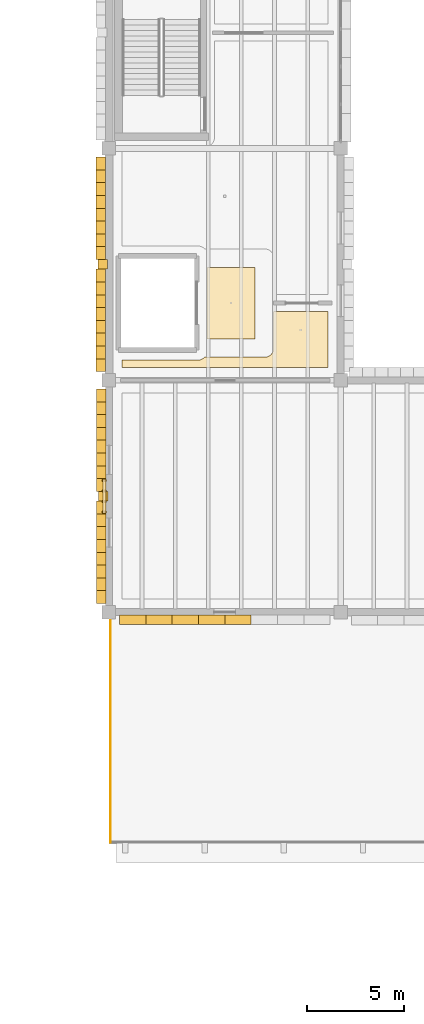
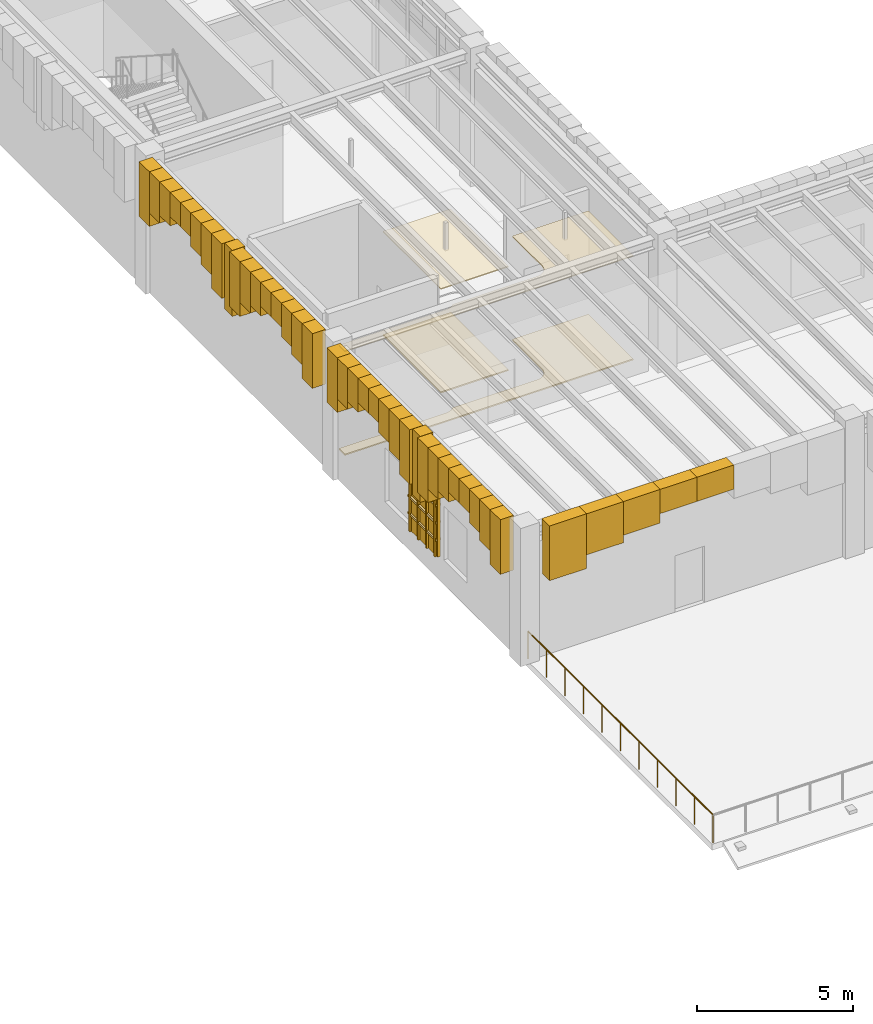
# One storey, part 75 of 100: 50 coverings, 1 railing, 1 shading device.
"""IFC4 building model written with IfcOpenShell, lengths in metres."""

from ifc_helpers import new_model, si_unit, direction, frame, origin, origin_2d, place, context, subcontext, project, spatial, polyline, rectangle, circle, outline, extrude, material, layer, layer_set, type_object, element, save


model = new_model("IFC4")

# Units and contexts
model_context = context("Model", 3, precision=1e-05, world=origin(), true_north=direction((0.0, 1.0)))
body_context = subcontext(model_context, "Body", "Model", "MODEL_VIEW")
ifc_project = project(units=[si_unit("LENGTHUNIT", "METRE"), si_unit("AREAUNIT", "SQUARE_METRE"), si_unit("VOLUMEUNIT", "CUBIC_METRE"), si_unit("PLANEANGLEUNIT", "RADIAN"), si_unit("MASSUNIT", "GRAM", prefix="KILO")], contexts=[model_context])

# Site, building, storey
site_placement = place(None, origin())
site = spatial("IfcSite", under=ifc_project, at=site_placement, CompositionType="ELEMENT")
building_placement = place(site_placement, origin())
building = spatial("IfcBuilding", under=site, at=building_placement, Name="Zlatogorsky Bluff Art Gallery", CompositionType="ELEMENT")
storey_placement = place(building_placement, frame((0.0, 0.0, 5.39990234375)))
storey = spatial("IfcBuildingStorey", under=building, at=storey_placement, Name="L01", CompositionType="ELEMENT", Elevation=5.39990234375)

# Coverings
ifc_material_1 = material(Name="Perforated Gypsum Acoustic Board", Category="gypsum")
ifc_layer_1 = layer(ifc_material_1, 0.0400390625)
ifc_layer_set_1 = layer_set([ifc_layer_1], Name="Acoustic Gallery Ceiling CLG-01")
covering_type_1 = type_object("IfcCoveringType", Name="Acoustic Gallery Ceiling CLG-01", PredefinedType="CEILING", material=ifc_layer_set_1)
covering_1_placement = place(storey_placement, frame((0.0, 0.0, 4.050048828125)))
element("IfcCovering", 1, at=covering_1_placement, inside=storey, type_object=covering_type_1, Name="Lift Lobby GL-1 acoustic ceiling", PredefinedType="CEILING", context=body_context, shape_type="SweptSolid", body=[
    extrude(outline(polyline([(125.070068359375, 52.550048828125), (125.070068359375, 56.25), (127.570068359375, 56.25), (127.570068359375, 52.550048828125), (125.070068359375, 52.550048828125)])), origin(), (0.0, 0.0, 1.0), 0.0400390625),
])
covering_2_placement = place(storey_placement, frame((0.0, 0.0, 4.050048828125)))
element("IfcCovering", 2, at=covering_2_placement, inside=storey, type_object=covering_type_1, Name="L01 Conservation Link Corridor acoustic ceiling", PredefinedType="CEILING", context=body_context, shape_type="SweptSolid", body=[
    extrude(outline(polyline([(124.6201171875, 51.449951171875), (124.6640625, 51.4521484375), (124.707763671875, 51.45849609375), (124.75048828125, 51.469482421875), (124.792236328125, 51.484375), (124.83203125, 51.503173828125), (124.8701171875, 51.52587890625), (124.905517578125, 51.552001953125), (124.938232421875, 51.581787109375), (124.95458984375, 51.60009765625), (128.070068359375, 51.60009765625), (128.114013671875, 51.602294921875), (128.15771484375, 51.608642578125), (128.20068359375, 51.619384765625), (128.2421875, 51.63427734375), (128.281982421875, 51.653076171875), (128.320068359375, 51.67578125), (128.35546875, 51.7021484375), (128.38818359375, 51.731689453125), (128.41796875, 51.764404296875), (128.444091796875, 51.800048828125), (128.466796875, 51.837890625), (128.485595703125, 51.877685546875), (128.50048828125, 51.91943359375), (128.511474609375, 51.962158203125), (128.517822265625, 52.005859375), (128.52001953125, 52.050048828125), (128.52001953125, 53.949951171875), (131.330078125, 53.949951171875), (131.330078125, 51.070068359375), (120.669921875, 51.070068359375), (120.669921875, 51.449951171875), (124.6201171875, 51.449951171875)])), origin(), (0.0, 0.0, 1.0), 0.0400390625),
])
ifc_material_2 = material(Name="Honed Red Agra-Tone Quartzitic Sandstone", Category="masonry")
ifc_layer_2 = layer(ifc_material_2, 0.1201171875)
ifc_layer_set_2 = layer_set([ifc_layer_2], Name="Carved Sandstone Cladding CLD-02")
covering_type_2 = type_object("IfcCoveringType", Name="Carved Sandstone Cladding CLD-02", PredefinedType="CLADDING", material=ifc_layer_set_2)
covering_3_placement = place(storey_placement, frame((0.0, 0.0, 3.222412109375)))
element("IfcCovering", 3, at=covering_3_placement, inside=storey, type_object=covering_type_2, Name="Pointed Mughal arch voussoir spandrel WARCH-L01-S-10-04-A.1", PredefinedType="CLADDING", context=body_context, shape_type="SweptSolid", body=[
    extrude(outline(polyline([(120.550048828125, 37.760009765625), (121.91259765625, 37.760009765625), (121.91259765625, 38.25), (120.550048828125, 38.25), (120.550048828125, 37.760009765625)])), origin(), (0.0, 0.0, 1.0), 2.1376953125),
])
covering_4_placement = place(storey_placement, frame((0.0, 0.0, 3.75390625)))
element("IfcCovering", 4, at=covering_4_placement, inside=storey, type_object=covering_type_2, Name="Pointed Mughal arch voussoir spandrel WARCH-L01-S-10-04-A.2", PredefinedType="CLADDING", context=body_context, shape_type="SweptSolid", body=[
    extrude(outline(polyline([(121.91259765625, 37.760009765625), (123.27490234375, 37.760009765625), (123.27490234375, 38.25), (121.91259765625, 38.25), (121.91259765625, 37.760009765625)])), origin(), (0.0, 0.0, 1.0), 1.606201171875),
])
covering_5_placement = place(storey_placement, frame((0.0, 0.0, 4.046875)))
element("IfcCovering", 5, at=covering_5_placement, inside=storey, type_object=covering_type_2, Name="Pointed Mughal arch voussoir spandrel WARCH-L01-S-10-04-A.3", PredefinedType="CLADDING", context=body_context, shape_type="SweptSolid", body=[
    extrude(outline(polyline([(123.27490234375, 37.760009765625), (124.637451171875, 37.760009765625), (124.637451171875, 38.25), (123.27490234375, 38.25), (123.27490234375, 37.760009765625)])), origin(), (0.0, 0.0, 1.0), 1.313232421875),
])
covering_6_placement = place(storey_placement, frame((0.0, 0.0, 4.41552734375)))
element("IfcCovering", 6, at=covering_6_placement, inside=storey, type_object=covering_type_2, Name="Pointed Mughal arch voussoir spandrel WARCH-L01-S-10-04-A.4", PredefinedType="CLADDING", context=body_context, shape_type="SweptSolid", body=[
    extrude(outline(polyline([(124.637451171875, 37.760009765625), (126.0, 37.760009765625), (126.0, 38.25), (124.637451171875, 38.25), (124.637451171875, 37.760009765625)])), origin(), (0.0, 0.0, 1.0), 0.944580078125),
])
covering_7_placement = place(storey_placement, frame((0.0, 0.0, 4.41552734375)))
element("IfcCovering", 7, at=covering_7_placement, inside=storey, type_object=covering_type_2, Name="Pointed Mughal arch voussoir spandrel WARCH-L01-S-10-04-A.5", PredefinedType="CLADDING", context=body_context, shape_type="SweptSolid", body=[
    extrude(outline(polyline([(126.0, 37.760009765625), (127.362548828125, 37.760009765625), (127.362548828125, 38.25), (126.0, 38.25), (126.0, 37.760009765625)])), origin(), (0.0, 0.0, 1.0), 0.944580078125),
])
covering_8_placement = place(storey_placement, frame((0.0, 0.0, 2.780029296875)))
element("IfcCovering", 8, at=covering_8_placement, inside=storey, type_object=covering_type_2, Name="Mughal blind-arch sandstone pilaster L01.W.10.4", PredefinedType="CLADDING", context=body_context, shape_type="SweptSolid", body=[
    extrude(outline(polyline([(119.4599609375, 44.159912109375), (119.93994140625, 44.159912109375), (119.93994140625, 44.639892578125), (119.4599609375, 44.639892578125), (119.4599609375, 44.159912109375)])), origin(), (0.0, 0.0, 1.0), 2.580078125),
])
covering_9_placement = place(storey_placement, frame((0.0, 0.0, 3.222412109375)))
element("IfcCovering", 9, at=covering_9_placement, inside=storey, type_object=covering_type_2, Name="Pointed Mughal arch voussoir spandrel WARCH-L01-W-10-04-A.1", PredefinedType="CLADDING", context=body_context, shape_type="SweptSolid", body=[
    extrude(outline(polyline([(119.360107421875, 38.85009765625), (119.360107421875, 39.512451171875), (119.85009765625, 39.512451171875), (119.85009765625, 38.85009765625), (119.360107421875, 38.85009765625)])), origin(), (0.0, 0.0, 1.0), 2.1376953125),
])
covering_10_placement = place(storey_placement, frame((0.0, 0.0, 3.75390625)))
element("IfcCovering", 10, at=covering_10_placement, inside=storey, type_object=covering_type_2, Name="Pointed Mughal arch voussoir spandrel WARCH-L01-W-10-04-A.2", PredefinedType="CLADDING", context=body_context, shape_type="SweptSolid", body=[
    extrude(outline(polyline([(119.360107421875, 39.512451171875), (119.360107421875, 40.175048828125), (119.85009765625, 40.175048828125), (119.85009765625, 39.512451171875), (119.360107421875, 39.512451171875)])), origin(), (0.0, 0.0, 1.0), 1.606201171875),
])
covering_11_placement = place(storey_placement, frame((0.0, 0.0, 4.046875)))
element("IfcCovering", 11, at=covering_11_placement, inside=storey, type_object=covering_type_2, Name="Pointed Mughal arch voussoir spandrel WARCH-L01-W-10-04-A.3", PredefinedType="CLADDING", context=body_context, shape_type="SweptSolid", body=[
    extrude(outline(polyline([(119.360107421875, 40.175048828125), (119.360107421875, 40.83740234375), (119.85009765625, 40.83740234375), (119.85009765625, 40.175048828125), (119.360107421875, 40.175048828125)])), origin(), (0.0, 0.0, 1.0), 1.313232421875),
])
covering_12_placement = place(storey_placement, frame((0.0, 0.0, 4.41552734375)))
element("IfcCovering", 12, at=covering_12_placement, inside=storey, type_object=covering_type_2, Name="Pointed Mughal arch voussoir spandrel WARCH-L01-W-10-04-A.4", PredefinedType="CLADDING", context=body_context, shape_type="SweptSolid", body=[
    extrude(outline(polyline([(119.360107421875, 40.83740234375), (119.360107421875, 41.5), (119.85009765625, 41.5), (119.85009765625, 40.83740234375), (119.360107421875, 40.83740234375)])), origin(), (0.0, 0.0, 1.0), 0.944580078125),
])
covering_13_placement = place(storey_placement, frame((0.0, 0.0, 4.41552734375)))
element("IfcCovering", 13, at=covering_13_placement, inside=storey, type_object=covering_type_2, Name="Pointed Mughal arch voussoir spandrel WARCH-L01-W-10-04-A.5", PredefinedType="CLADDING", context=body_context, shape_type="SweptSolid", body=[
    extrude(outline(polyline([(119.360107421875, 41.5), (119.360107421875, 42.16259765625), (119.85009765625, 42.16259765625), (119.85009765625, 41.5), (119.360107421875, 41.5)])), origin(), (0.0, 0.0, 1.0), 0.944580078125),
])
covering_14_placement = place(storey_placement, frame((0.0, 0.0, 4.046875)))
element("IfcCovering", 14, at=covering_14_placement, inside=storey, type_object=covering_type_2, Name="Pointed Mughal arch voussoir spandrel WARCH-L01-W-10-04-A.6", PredefinedType="CLADDING", context=body_context, shape_type="SweptSolid", body=[
    extrude(outline(polyline([(119.360107421875, 42.16259765625), (119.360107421875, 42.824951171875), (119.85009765625, 42.824951171875), (119.85009765625, 42.16259765625), (119.360107421875, 42.16259765625)])), origin(), (0.0, 0.0, 1.0), 1.313232421875),
])
covering_15_placement = place(storey_placement, frame((0.0, 0.0, 3.75390625)))
element("IfcCovering", 15, at=covering_15_placement, inside=storey, type_object=covering_type_2, Name="Pointed Mughal arch voussoir spandrel WARCH-L01-W-10-04-A.7", PredefinedType="CLADDING", context=body_context, shape_type="SweptSolid", body=[
    extrude(outline(polyline([(119.360107421875, 42.824951171875), (119.360107421875, 43.487548828125), (119.85009765625, 43.487548828125), (119.85009765625, 42.824951171875), (119.360107421875, 42.824951171875)])), origin(), (0.0, 0.0, 1.0), 1.606201171875),
])
covering_16_placement = place(storey_placement, frame((0.0, 0.0, 3.222412109375)))
element("IfcCovering", 16, at=covering_16_placement, inside=storey, type_object=covering_type_2, Name="Pointed Mughal arch voussoir spandrel WARCH-L01-W-10-04-A.8", PredefinedType="CLADDING", context=body_context, shape_type="SweptSolid", body=[
    extrude(outline(polyline([(119.360107421875, 43.487548828125), (119.360107421875, 44.14990234375), (119.85009765625, 44.14990234375), (119.85009765625, 43.487548828125), (119.360107421875, 43.487548828125)])), origin(), (0.0, 0.0, 1.0), 2.1376953125),
])
covering_17_placement = place(storey_placement, frame((0.0, 0.0, 3.222412109375)))
element("IfcCovering", 17, at=covering_17_placement, inside=storey, type_object=covering_type_2, Name="Pointed Mughal arch voussoir spandrel WARCH-L01-W-10-04-B.1", PredefinedType="CLADDING", context=body_context, shape_type="SweptSolid", body=[
    extrude(outline(polyline([(119.360107421875, 44.64990234375), (119.360107421875, 45.3125), (119.85009765625, 45.3125), (119.85009765625, 44.64990234375), (119.360107421875, 44.64990234375)])), origin(), (0.0, 0.0, 1.0), 2.1376953125),
])
covering_18_placement = place(storey_placement, frame((0.0, 0.0, 3.75390625)))
element("IfcCovering", 18, at=covering_18_placement, inside=storey, type_object=covering_type_2, Name="Pointed Mughal arch voussoir spandrel WARCH-L01-W-10-04-B.2", PredefinedType="CLADDING", context=body_context, shape_type="SweptSolid", body=[
    extrude(outline(polyline([(119.360107421875, 45.3125), (119.360107421875, 45.97509765625), (119.85009765625, 45.97509765625), (119.85009765625, 45.3125), (119.360107421875, 45.3125)])), origin(), (0.0, 0.0, 1.0), 1.606201171875),
])
covering_19_placement = place(storey_placement, frame((0.0, 0.0, 4.046875)))
element("IfcCovering", 19, at=covering_19_placement, inside=storey, type_object=covering_type_2, Name="Pointed Mughal arch voussoir spandrel WARCH-L01-W-10-04-B.3", PredefinedType="CLADDING", context=body_context, shape_type="SweptSolid", body=[
    extrude(outline(polyline([(119.360107421875, 45.97509765625), (119.360107421875, 46.637451171875), (119.85009765625, 46.637451171875), (119.85009765625, 45.97509765625), (119.360107421875, 45.97509765625)])), origin(), (0.0, 0.0, 1.0), 1.313232421875),
])
covering_20_placement = place(storey_placement, frame((0.0, 0.0, 4.41552734375)))
element("IfcCovering", 20, at=covering_20_placement, inside=storey, type_object=covering_type_2, Name="Pointed Mughal arch voussoir spandrel WARCH-L01-W-10-04-B.4", PredefinedType="CLADDING", context=body_context, shape_type="SweptSolid", body=[
    extrude(outline(polyline([(119.360107421875, 46.637451171875), (119.360107421875, 47.300048828125), (119.85009765625, 47.300048828125), (119.85009765625, 46.637451171875), (119.360107421875, 46.637451171875)])), origin(), (0.0, 0.0, 1.0), 0.944580078125),
])
covering_21_placement = place(storey_placement, frame((0.0, 0.0, 4.41552734375)))
element("IfcCovering", 21, at=covering_21_placement, inside=storey, type_object=covering_type_2, Name="Pointed Mughal arch voussoir spandrel WARCH-L01-W-10-04-B.5", PredefinedType="CLADDING", context=body_context, shape_type="SweptSolid", body=[
    extrude(outline(polyline([(119.360107421875, 47.300048828125), (119.360107421875, 47.96240234375), (119.85009765625, 47.96240234375), (119.85009765625, 47.300048828125), (119.360107421875, 47.300048828125)])), origin(), (0.0, 0.0, 1.0), 0.944580078125),
])
covering_22_placement = place(storey_placement, frame((0.0, 0.0, 4.046875)))
element("IfcCovering", 22, at=covering_22_placement, inside=storey, type_object=covering_type_2, Name="Pointed Mughal arch voussoir spandrel WARCH-L01-W-10-04-B.6", PredefinedType="CLADDING", context=body_context, shape_type="SweptSolid", body=[
    extrude(outline(polyline([(119.360107421875, 47.96240234375), (119.360107421875, 48.625), (119.85009765625, 48.625), (119.85009765625, 47.96240234375), (119.360107421875, 47.96240234375)])), origin(), (0.0, 0.0, 1.0), 1.313232421875),
])
covering_23_placement = place(storey_placement, frame((0.0, 0.0, 3.75390625)))
element("IfcCovering", 23, at=covering_23_placement, inside=storey, type_object=covering_type_2, Name="Pointed Mughal arch voussoir spandrel WARCH-L01-W-10-04-B.7", PredefinedType="CLADDING", context=body_context, shape_type="SweptSolid", body=[
    extrude(outline(polyline([(119.360107421875, 48.625), (119.360107421875, 49.28759765625), (119.85009765625, 49.28759765625), (119.85009765625, 48.625), (119.360107421875, 48.625)])), origin(), (0.0, 0.0, 1.0), 1.606201171875),
])
covering_24_placement = place(storey_placement, frame((0.0, 0.0, 3.222412109375)))
element("IfcCovering", 24, at=covering_24_placement, inside=storey, type_object=covering_type_2, Name="Pointed Mughal arch voussoir spandrel WARCH-L01-W-10-04-B.8", PredefinedType="CLADDING", context=body_context, shape_type="SweptSolid", body=[
    extrude(outline(polyline([(119.360107421875, 49.28759765625), (119.360107421875, 49.949951171875), (119.85009765625, 49.949951171875), (119.85009765625, 49.28759765625), (119.360107421875, 49.28759765625)])), origin(), (0.0, 0.0, 1.0), 2.1376953125),
])
covering_25_placement = place(storey_placement, frame((0.0, 0.0, 0.9501953125)))
element("IfcCovering", 25, at=covering_25_placement, inside=storey, type_object=covering_type_2, Name="Pierced sandstone jali lattice bar L01.W.10.4", PredefinedType="CLADDING", context=body_context, shape_type="SweptSolid", body=[
    extrude(outline(polyline([(119.659912109375, 43.544921875), (119.659912109375, 43.635009765625), (119.85009765625, 43.635009765625), (119.85009765625, 43.544921875), (119.659912109375, 43.544921875)])), origin(), (0.0, 0.0, 1.0), 2.699951171875),
])
covering_26_placement = place(storey_placement, frame((0.0, 0.0, 0.9501953125)))
element("IfcCovering", 26, at=covering_26_placement, inside=storey, type_object=covering_type_2, Name="Pierced sandstone jali lattice bar L01.W.10.4", PredefinedType="CLADDING", context=body_context, shape_type="SweptSolid", body=[
    extrude(outline(polyline([(119.659912109375, 44.0849609375), (119.659912109375, 44.175048828125), (119.85009765625, 44.175048828125), (119.85009765625, 44.0849609375), (119.659912109375, 44.0849609375)])), origin(), (0.0, 0.0, 1.0), 2.699951171875),
])
covering_27_placement = place(storey_placement, frame((0.0, 0.0, 0.9501953125)))
element("IfcCovering", 27, at=covering_27_placement, inside=storey, type_object=covering_type_2, Name="Pierced sandstone jali lattice bar L01.W.10.4", PredefinedType="CLADDING", context=body_context, shape_type="SweptSolid", body=[
    extrude(outline(polyline([(119.659912109375, 44.625), (119.659912109375, 44.715087890625), (119.85009765625, 44.715087890625), (119.85009765625, 44.625), (119.659912109375, 44.625)])), origin(), (0.0, 0.0, 1.0), 2.699951171875),
])
covering_28_placement = place(storey_placement, frame((0.0, 0.0, 0.9501953125)))
element("IfcCovering", 28, at=covering_28_placement, inside=storey, type_object=covering_type_2, Name="Pierced sandstone jali lattice bar L01.W.10.4", PredefinedType="CLADDING", context=body_context, shape_type="SweptSolid", body=[
    extrude(outline(polyline([(119.659912109375, 45.1650390625), (119.659912109375, 45.2548828125), (119.85009765625, 45.2548828125), (119.85009765625, 45.1650390625), (119.659912109375, 45.1650390625)])), origin(), (0.0, 0.0, 1.0), 2.699951171875),
])
covering_29_placement = place(storey_placement, frame((0.0, 0.0, 1.585205078125)))
element("IfcCovering", 29, at=covering_29_placement, inside=storey, type_object=covering_type_2, Name="Pierced sandstone jali lattice transom L01.W.10.4", PredefinedType="CLADDING", context=body_context, shape_type="SweptSolid", body=[
    extrude(outline(polyline([(119.659912109375, 43.5), (119.659912109375, 45.300048828125), (119.85009765625, 45.300048828125), (119.85009765625, 43.5), (119.659912109375, 43.5)])), origin(), (0.0, 0.0, 1.0), 0.079833984375),
])
for number, where, name in (
    (30, (0.0, 0.0, 2.260009765625), "Pierced sandstone jali lattice transom L01.W.10.4"),
    (31, (0.0, 0.0, 2.93505859375), "Pierced sandstone jali lattice transom L01.W.10.4"),
):
    element("IfcCovering", number, at=place(storey_placement, frame(where)), inside=storey, type_object=covering_type_2, Name=name, PredefinedType="CLADDING", context=body_context, shape_type="SweptSolid", body=[
        extrude(outline(polyline([(119.659912109375, 43.5), (119.659912109375, 45.300048828125), (119.85009765625, 45.300048828125), (119.85009765625, 43.5), (119.659912109375, 43.5)])), origin(), (0.0, 0.0, 1.0), 0.080078125),
    ])
covering_30_placement = place(storey_placement, frame((0.0, 0.0, 2.780029296875)))
element("IfcCovering", 32, at=covering_30_placement, inside=storey, type_object=covering_type_2, Name="Mughal blind-arch sandstone pilaster L01.W.10.5", PredefinedType="CLADDING", context=body_context, shape_type="SweptSolid", body=[
    extrude(outline(polyline([(119.43994140625, 56.159912109375), (119.919921875, 56.159912109375), (119.919921875, 56.639892578125), (119.43994140625, 56.639892578125), (119.43994140625, 56.159912109375)])), origin(), (0.0, 0.0, 1.0), 2.580078125),
])
covering_31_placement = place(storey_placement, frame((0.0, 0.0, 3.222412109375)))
element("IfcCovering", 33, at=covering_31_placement, inside=storey, type_object=covering_type_2, Name="Pointed Mughal arch voussoir spandrel WARCH-L01-W-10-05-A.1", PredefinedType="CLADDING", context=body_context, shape_type="SweptSolid", body=[
    extrude(outline(polyline([(119.340087890625, 50.85009765625), (119.340087890625, 51.512451171875), (119.830078125, 51.512451171875), (119.830078125, 50.85009765625), (119.340087890625, 50.85009765625)])), origin(), (0.0, 0.0, 1.0), 2.1376953125),
])
covering_32_placement = place(storey_placement, frame((0.0, 0.0, 3.75390625)))
element("IfcCovering", 34, at=covering_32_placement, inside=storey, type_object=covering_type_2, Name="Pointed Mughal arch voussoir spandrel WARCH-L01-W-10-05-A.2", PredefinedType="CLADDING", context=body_context, shape_type="SweptSolid", body=[
    extrude(outline(polyline([(119.340087890625, 51.512451171875), (119.340087890625, 52.175048828125), (119.830078125, 52.175048828125), (119.830078125, 51.512451171875), (119.340087890625, 51.512451171875)])), origin(), (0.0, 0.0, 1.0), 1.606201171875),
])
covering_33_placement = place(storey_placement, frame((0.0, 0.0, 4.046875)))
element("IfcCovering", 35, at=covering_33_placement, inside=storey, type_object=covering_type_2, Name="Pointed Mughal arch voussoir spandrel WARCH-L01-W-10-05-A.3", PredefinedType="CLADDING", context=body_context, shape_type="SweptSolid", body=[
    extrude(outline(polyline([(119.340087890625, 52.175048828125), (119.340087890625, 52.83740234375), (119.830078125, 52.83740234375), (119.830078125, 52.175048828125), (119.340087890625, 52.175048828125)])), origin(), (0.0, 0.0, 1.0), 1.313232421875),
])
covering_34_placement = place(storey_placement, frame((0.0, 0.0, 4.41552734375)))
element("IfcCovering", 36, at=covering_34_placement, inside=storey, type_object=covering_type_2, Name="Pointed Mughal arch voussoir spandrel WARCH-L01-W-10-05-A.4", PredefinedType="CLADDING", context=body_context, shape_type="SweptSolid", body=[
    extrude(outline(polyline([(119.340087890625, 52.83740234375), (119.340087890625, 53.5), (119.830078125, 53.5), (119.830078125, 52.83740234375), (119.340087890625, 52.83740234375)])), origin(), (0.0, 0.0, 1.0), 0.944580078125),
])
covering_35_placement = place(storey_placement, frame((0.0, 0.0, 4.41552734375)))
element("IfcCovering", 37, at=covering_35_placement, inside=storey, type_object=covering_type_2, Name="Pointed Mughal arch voussoir spandrel WARCH-L01-W-10-05-A.5", PredefinedType="CLADDING", context=body_context, shape_type="SweptSolid", body=[
    extrude(outline(polyline([(119.340087890625, 53.5), (119.340087890625, 54.16259765625), (119.830078125, 54.16259765625), (119.830078125, 53.5), (119.340087890625, 53.5)])), origin(), (0.0, 0.0, 1.0), 0.944580078125),
])
covering_36_placement = place(storey_placement, frame((0.0, 0.0, 4.046875)))
element("IfcCovering", 38, at=covering_36_placement, inside=storey, type_object=covering_type_2, Name="Pointed Mughal arch voussoir spandrel WARCH-L01-W-10-05-A.6", PredefinedType="CLADDING", context=body_context, shape_type="SweptSolid", body=[
    extrude(outline(polyline([(119.340087890625, 54.16259765625), (119.340087890625, 54.824951171875), (119.830078125, 54.824951171875), (119.830078125, 54.16259765625), (119.340087890625, 54.16259765625)])), origin(), (0.0, 0.0, 1.0), 1.313232421875),
])
covering_37_placement = place(storey_placement, frame((0.0, 0.0, 3.75390625)))
element("IfcCovering", 39, at=covering_37_placement, inside=storey, type_object=covering_type_2, Name="Pointed Mughal arch voussoir spandrel WARCH-L01-W-10-05-A.7", PredefinedType="CLADDING", context=body_context, shape_type="SweptSolid", body=[
    extrude(outline(polyline([(119.340087890625, 54.824951171875), (119.340087890625, 55.487548828125), (119.830078125, 55.487548828125), (119.830078125, 54.824951171875), (119.340087890625, 54.824951171875)])), origin(), (0.0, 0.0, 1.0), 1.606201171875),
])
covering_38_placement = place(storey_placement, frame((0.0, 0.0, 3.222412109375)))
element("IfcCovering", 40, at=covering_38_placement, inside=storey, type_object=covering_type_2, Name="Pointed Mughal arch voussoir spandrel WARCH-L01-W-10-05-A.8", PredefinedType="CLADDING", context=body_context, shape_type="SweptSolid", body=[
    extrude(outline(polyline([(119.340087890625, 55.487548828125), (119.340087890625, 56.14990234375), (119.830078125, 56.14990234375), (119.830078125, 55.487548828125), (119.340087890625, 55.487548828125)])), origin(), (0.0, 0.0, 1.0), 2.1376953125),
])
covering_39_placement = place(storey_placement, frame((0.0, 0.0, 3.222412109375)))
element("IfcCovering", 41, at=covering_39_placement, inside=storey, type_object=covering_type_2, Name="Pointed Mughal arch voussoir spandrel WARCH-L01-W-10-05-B.1", PredefinedType="CLADDING", context=body_context, shape_type="SweptSolid", body=[
    extrude(outline(polyline([(119.340087890625, 56.64990234375), (119.340087890625, 57.3125), (119.830078125, 57.3125), (119.830078125, 56.64990234375), (119.340087890625, 56.64990234375)])), origin(), (0.0, 0.0, 1.0), 2.1376953125),
])
covering_40_placement = place(storey_placement, frame((0.0, 0.0, 3.75390625)))
element("IfcCovering", 42, at=covering_40_placement, inside=storey, type_object=covering_type_2, Name="Pointed Mughal arch voussoir spandrel WARCH-L01-W-10-05-B.2", PredefinedType="CLADDING", context=body_context, shape_type="SweptSolid", body=[
    extrude(outline(polyline([(119.340087890625, 57.3125), (119.340087890625, 57.97509765625), (119.830078125, 57.97509765625), (119.830078125, 57.3125), (119.340087890625, 57.3125)])), origin(), (0.0, 0.0, 1.0), 1.606201171875),
])
covering_41_placement = place(storey_placement, frame((0.0, 0.0, 4.046875)))
element("IfcCovering", 43, at=covering_41_placement, inside=storey, type_object=covering_type_2, Name="Pointed Mughal arch voussoir spandrel WARCH-L01-W-10-05-B.3", PredefinedType="CLADDING", context=body_context, shape_type="SweptSolid", body=[
    extrude(outline(polyline([(119.340087890625, 57.97509765625), (119.340087890625, 58.637451171875), (119.830078125, 58.637451171875), (119.830078125, 57.97509765625), (119.340087890625, 57.97509765625)])), origin(), (0.0, 0.0, 1.0), 1.313232421875),
])
covering_42_placement = place(storey_placement, frame((0.0, 0.0, 4.41552734375)))
element("IfcCovering", 44, at=covering_42_placement, inside=storey, type_object=covering_type_2, Name="Pointed Mughal arch voussoir spandrel WARCH-L01-W-10-05-B.4", PredefinedType="CLADDING", context=body_context, shape_type="SweptSolid", body=[
    extrude(outline(polyline([(119.340087890625, 58.637451171875), (119.340087890625, 59.300048828125), (119.830078125, 59.300048828125), (119.830078125, 58.637451171875), (119.340087890625, 58.637451171875)])), origin(), (0.0, 0.0, 1.0), 0.944580078125),
])
covering_43_placement = place(storey_placement, frame((0.0, 0.0, 4.41552734375)))
element("IfcCovering", 45, at=covering_43_placement, inside=storey, type_object=covering_type_2, Name="Pointed Mughal arch voussoir spandrel WARCH-L01-W-10-05-B.5", PredefinedType="CLADDING", context=body_context, shape_type="SweptSolid", body=[
    extrude(outline(polyline([(119.340087890625, 59.300048828125), (119.340087890625, 59.96240234375), (119.830078125, 59.96240234375), (119.830078125, 59.300048828125), (119.340087890625, 59.300048828125)])), origin(), (0.0, 0.0, 1.0), 0.944580078125),
])
covering_44_placement = place(storey_placement, frame((0.0, 0.0, 4.046875)))
element("IfcCovering", 46, at=covering_44_placement, inside=storey, type_object=covering_type_2, Name="Pointed Mughal arch voussoir spandrel WARCH-L01-W-10-05-B.6", PredefinedType="CLADDING", context=body_context, shape_type="SweptSolid", body=[
    extrude(outline(polyline([(119.340087890625, 59.96240234375), (119.340087890625, 60.625), (119.830078125, 60.625), (119.830078125, 59.96240234375), (119.340087890625, 59.96240234375)])), origin(), (0.0, 0.0, 1.0), 1.313232421875),
])
covering_45_placement = place(storey_placement, frame((0.0, 0.0, 3.75390625)))
element("IfcCovering", 47, at=covering_45_placement, inside=storey, type_object=covering_type_2, Name="Pointed Mughal arch voussoir spandrel WARCH-L01-W-10-05-B.7", PredefinedType="CLADDING", context=body_context, shape_type="SweptSolid", body=[
    extrude(outline(polyline([(119.340087890625, 60.625), (119.340087890625, 61.28759765625), (119.830078125, 61.28759765625), (119.830078125, 60.625), (119.340087890625, 60.625)])), origin(), (0.0, 0.0, 1.0), 1.606201171875),
])
covering_46_placement = place(storey_placement, frame((0.0, 0.0, 3.222412109375)))
element("IfcCovering", 48, at=covering_46_placement, inside=storey, type_object=covering_type_2, Name="Pointed Mughal arch voussoir spandrel WARCH-L01-W-10-05-B.8", PredefinedType="CLADDING", context=body_context, shape_type="SweptSolid", body=[
    extrude(outline(polyline([(119.340087890625, 61.28759765625), (119.340087890625, 61.949951171875), (119.830078125, 61.949951171875), (119.830078125, 61.28759765625), (119.340087890625, 61.28759765625)])), origin(), (0.0, 0.0, 1.0), 2.1376953125),
])

# Railing
ifc_material_3 = material(Name="Architectural Bronze and Laminated Glass", Category="glass")
railing_type = type_object("IfcRailingType", Name="Gallery Guard Rail 1100mm", PredefinedType="GUARDRAIL", material=ifc_material_3)
railing_placement = place(storey_placement, frame((120.080078125, 26.47998046875, 0.0)))
element("IfcRailing", 49, at=railing_placement, inside=storey, type_object=railing_type, Name="Sculpture terrace balustrade TERR-L01-02.3", PredefinedType="GUARDRAIL", context=body_context, shape_type="SweptSolid", body=[
    extrude(circle(Radius=0.02392578125, at=origin_2d()), frame((0.0, 0.0, 1.076171875), z_axis=(0.0, 1.0, 0.0), x_axis=(-1.0, 0.0, 0.0)), (0.0, 0.0, 1.0), 11.840087890625),
    extrude(circle(Radius=0.02099609375, at=origin_2d()), origin(), (0.0, 0.0, 1.0), 1.052001953125),
    extrude(circle(Radius=0.02099609375, at=origin_2d()), frame((0.0, 1.18408203125, 0.0)), (0.0, 0.0, 1.0), 1.052001953125),
    extrude(circle(Radius=0.02099609375, at=origin_2d()), frame((0.0, 2.367919921875, 0.0)), (0.0, 0.0, 1.0), 1.052001953125),
    extrude(circle(Radius=0.02099609375, at=origin_2d()), frame((0.0, 3.552001953125, 0.0)), (0.0, 0.0, 1.0), 1.052001953125),
    extrude(circle(Radius=0.02099609375, at=origin_2d()), frame((0.0, 4.736083984375, 0.0)), (0.0, 0.0, 1.0), 1.052001953125),
    extrude(circle(Radius=0.02099609375, at=origin_2d()), frame((0.0, 5.919921875, 0.0)), (0.0, 0.0, 1.0), 1.052001953125),
    extrude(circle(Radius=0.02099609375, at=origin_2d()), frame((0.0, 7.10400390625, 0.0)), (0.0, 0.0, 1.0), 1.052001953125),
    extrude(circle(Radius=0.02099609375, at=origin_2d()), frame((0.0, 8.2880859375, 0.0)), (0.0, 0.0, 1.0), 1.052001953125),
    extrude(circle(Radius=0.02099609375, at=origin_2d()), frame((0.0, 9.47216796875, 0.0)), (0.0, 0.0, 1.0), 1.052001953125),
    extrude(circle(Radius=0.02099609375, at=origin_2d()), frame((0.0, 10.656005859375, 0.0)), (0.0, 0.0, 1.0), 1.052001953125),
    extrude(circle(Radius=0.02099609375, at=origin_2d()), frame((0.0, 11.840087890625, 0.0)), (0.0, 0.0, 1.0), 1.052001953125),
])

# Shading device
ifc_material_4 = material(Name="CNC-Pierced Red Quartzitic Sandstone Jali", Category="masonry")
shading_device_type = type_object("IfcShadingDeviceType", Name="Pierced Stone Jali Screen JAL-02", PredefinedType="JALOUSIE", material=ifc_material_4)
shading_device_placement = place(storey_placement, frame((119.780029296875, 44.39990234375, 0.9501953125), z_axis=(0.0, 0.0, 1.0), x_axis=(1.0, 0.0, 0.0)))
element("IfcShadingDevice", 50, at=shading_device_placement, inside=storey, type_object=shading_device_type, Name="Pierced stone jali screen JAL-02", PredefinedType="JALOUSIE", context=body_context, shape_type="SweptSolid", body=[
    extrude(rectangle(XDim=0.1201171875, YDim=1.800048828125, at=origin_2d()), origin(), (0.0, 0.0, 1.0), 2.699951171875),
])

# Coverings
ifc_material_5 = material(Name="Polished Ural Marble Terrazzo", Category="masonry")
ifc_layer_3 = layer(ifc_material_5, 0.050048828125)
ifc_layer_set_3 = layer_set([ifc_layer_3], Name="Terrazzo Gallery Flooring FLR-01")
covering_type_3 = type_object("IfcCoveringType", Name="Terrazzo Gallery Flooring FLR-01", PredefinedType="FLOORING", material=ifc_layer_set_3)
covering_47_placement = place(storey_placement, origin())
element("IfcCovering", 51, at=covering_47_placement, inside=storey, type_object=covering_type_3, Name="Lift Lobby GL-1 terrazzo floor finish", PredefinedType="FLOORING", context=body_context, shape_type="SweptSolid", body=[
    extrude(outline(polyline([(125.070068359375, 52.550048828125), (125.070068359375, 56.25), (127.570068359375, 56.25), (127.570068359375, 52.550048828125), (125.070068359375, 52.550048828125)])), origin(), (0.0, 0.0, 1.0), 0.050048828125),
])
covering_48_placement = place(storey_placement, origin())
element("IfcCovering", 52, at=covering_48_placement, inside=storey, type_object=covering_type_3, Name="L01 Conservation Link Corridor terrazzo floor finish", PredefinedType="FLOORING", context=body_context, shape_type="SweptSolid", body=[
    extrude(outline(polyline([(124.6201171875, 51.449951171875), (124.6640625, 51.4521484375), (124.707763671875, 51.45849609375), (124.75048828125, 51.469482421875), (124.792236328125, 51.484375), (124.83203125, 51.503173828125), (124.8701171875, 51.52587890625), (124.905517578125, 51.552001953125), (124.938232421875, 51.581787109375), (124.95458984375, 51.60009765625), (128.070068359375, 51.60009765625), (128.114013671875, 51.602294921875), (128.15771484375, 51.608642578125), (128.20068359375, 51.619384765625), (128.2421875, 51.63427734375), (128.281982421875, 51.653076171875), (128.320068359375, 51.67578125), (128.35546875, 51.7021484375), (128.38818359375, 51.731689453125), (128.41796875, 51.764404296875), (128.444091796875, 51.800048828125), (128.466796875, 51.837890625), (128.485595703125, 51.877685546875), (128.50048828125, 51.91943359375), (128.511474609375, 51.962158203125), (128.517822265625, 52.005859375), (128.52001953125, 52.050048828125), (128.52001953125, 53.949951171875), (131.330078125, 53.949951171875), (131.330078125, 51.070068359375), (120.669921875, 51.070068359375), (120.669921875, 51.449951171875), (124.6201171875, 51.449951171875)])), origin(), (0.0, 0.0, 1.0), 0.050048828125),
])

save(model, "model.ifc")
